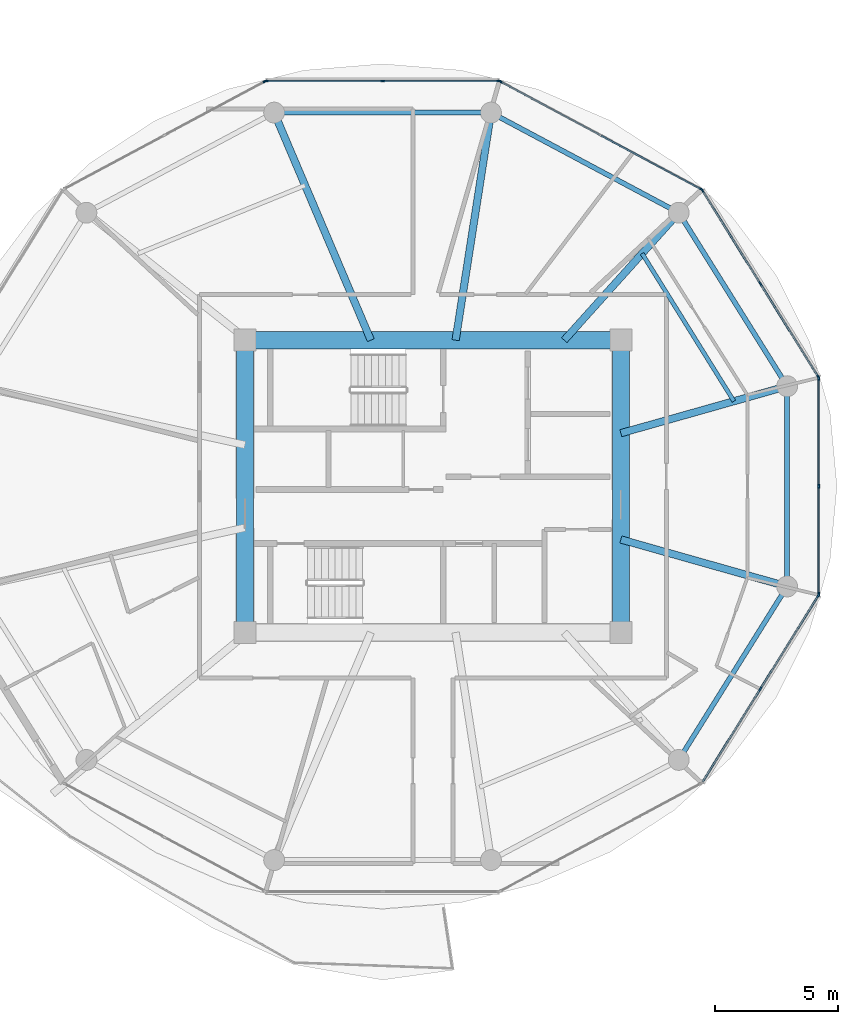
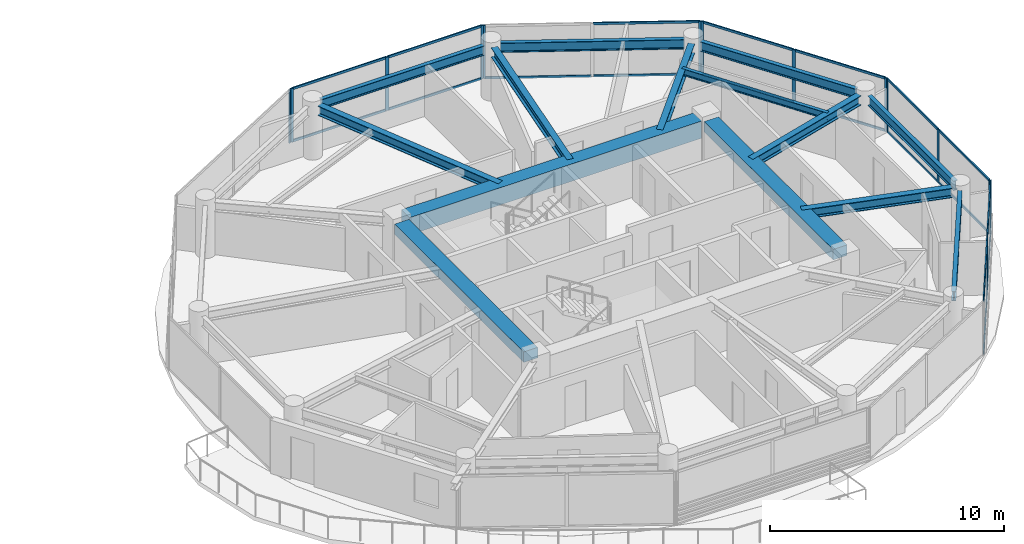
# One storey, part 11 of 23: 33 members, 14 beams, 6 elements without a shape of their own.
"""IFC4 building model written with IfcOpenShell, lengths in metres."""

from ifc_helpers import new_model, si_unit, direction, frame, origin, origin_2d, place, context, subcontext, project, spatial, rectangle, i_section, extrude, source, transform, mapped, material, layer, layer_set, material_profile, profile_set, type_object, type_shapes, element, aggregate, save


model = new_model("IFC4")

# Units and contexts
model_context = context("Model", 3, precision=1e-05, world=origin(), true_north=direction((0.0, 1.0)))
body_context = subcontext(model_context, "Body", "Model", "MODEL_VIEW")
ifc_project = project(units=[si_unit("LENGTHUNIT", "METRE"), si_unit("AREAUNIT", "SQUARE_METRE"), si_unit("VOLUMEUNIT", "CUBIC_METRE"), si_unit("PLANEANGLEUNIT", "RADIAN"), si_unit("MASSUNIT", "GRAM", prefix="KILO")], contexts=[model_context])

# Site, building, storey
site_placement = place(None, origin())
site = spatial("IfcSite", under=ifc_project, at=site_placement, CompositionType="ELEMENT")
building_placement = place(site_placement, origin())
building = spatial("IfcBuilding", under=site, at=building_placement, Name="Norrkilde Senior Care Towers", CompositionType="ELEMENT")
storey_placement = place(building_placement, frame((0.0, 0.0, 81.0)))
storey = spatial("IfcBuildingStorey", under=building, at=storey_placement, Name="L24", CompositionType="ELEMENT", Elevation=81.0)

# Beams
ifc_material_1 = material(Name="Concrete C60/75", Category="concrete")
ifc_material_profile_1 = material_profile(ifc_material_1, rectangle(XDim=0.699951171875, YDim=0.89990234375, at=origin_2d()), Name="RC BM 700x900")
ifc_profile_set_1 = profile_set([ifc_material_profile_1], Name="Concrete C60/75")
beam_type_1 = type_object("IfcBeamType", Name="Core Coupling Girder 700x900", PredefinedType="USERDEFINED", material=ifc_profile_set_1)
shared_shape_1 = source(origin(), body_context, "Body", "SweptSolid", [
    extrude(rectangle(XDim=0.699951171875, YDim=0.89990234375, at=origin_2d()), origin(), (0.0, 0.0, 1.0), 14.43994140625),
])
type_shapes(beam_type_1, [shared_shape_1])
beam_1_placement = place(storey_placement, frame((20.780029296875, 5.949951171875, 2.340087890625), z_axis=(1.0, 0.0, 0.0), x_axis=(0.0, 1.0, 0.0)))
element("IfcBeam", 1, at=beam_1_placement, inside=storey, type_object=beam_type_1, Name="L24 Core E N Coupling Girder", ObjectType="GIRDER", PredefinedType="USERDEFINED", context=body_context, shape_type="MappedRepresentation", body=[
    mapped(shared_shape_1, transform((0.0, 0.0, 0.0), x_axis=(1.0, 0.0, 0.0), y_axis=(0.0, 1.0, 0.0), z_axis=(0.0, 0.0, 1.0), scale=1.0)),
])
ifc_material_profile_2 = material_profile(ifc_material_1, rectangle(XDim=0.699951171875, YDim=0.550048828125, at=origin_2d()), Name="RC BM 700x550")
ifc_profile_set_2 = profile_set([ifc_material_profile_2], Name="Concrete C60/75")
beam_type_2 = type_object("IfcBeamType", Name="Core Portal Coupling Beam 700x550", PredefinedType="USERDEFINED", material=ifc_profile_set_2)
shared_shape_2 = source(origin(), body_context, "Body", "SweptSolid", [
    extrude(rectangle(XDim=0.699951171875, YDim=0.550048828125, at=origin_2d()), origin(), (0.0, 0.0, 1.0), 11.0400390625),
])
type_shapes(beam_type_2, [shared_shape_2])
for number, where, z_axis, x_axis, name in (
    (2, (20.35009765625, -5.52001953125, 2.514892578125), (0.0, 1.0, 0.0), (-1.0, 0.0, 0.0), "L24 Core E W Coupling Girder"),
    (3, (35.64990234375, -5.52001953125, 2.514892578125), (0.0, 1.0, 0.0), (-1.0, 0.0, 0.0), "L24 Core E E Coupling Girder"),
):
    element("IfcBeam", number, at=place(storey_placement, frame(where, z_axis=z_axis, x_axis=x_axis)), inside=storey, type_object=beam_type_2, Name=name, ObjectType="GIRDER", PredefinedType="USERDEFINED", context=body_context, shape_type="MappedRepresentation", body=[
        mapped(shared_shape_2, transform((0.0, 0.0, 0.0), x_axis=(1.0, 0.0, 0.0), y_axis=(0.0, 1.0, 0.0), z_axis=(0.0, 0.0, 1.0), scale=1.0)),
    ])
ifc_material_2 = material(Name="Steel S355", Category="steel")
ifc_material_profile_3 = material_profile(ifc_material_2, i_section(OverallWidth=0.199951171875, OverallDepth=0.5, WebThickness=0.01025390625, FlangeThickness=0.01611328125, FilletRadius=0.02099609375, at=origin_2d()), Name="IPE 500")
ifc_profile_set_3 = profile_set([ifc_material_profile_3], Name="Steel S355")
beam_type_3 = type_object("IfcBeamType", Name="Perimeter Ring Spandrel Z2 IPE500", PredefinedType="SPANDREL", material=ifc_profile_set_3)
shared_shape_3 = source(origin(), body_context, "Body", "SweptSolid", [
    extrude(i_section(OverallWidth=0.199951171875, OverallDepth=0.5, WebThickness=0.01025390625, FlangeThickness=0.01611328125, FilletRadius=0.02099609375, at=origin_2d()), origin(), (0.0, 0.0, 1.0), 7.892333984375),
])
beam_2_placement = place(storey_placement, frame((37.66650390625, 11.318115234375, 2.5400390625), z_axis=(-0.882350372282, 0.47059305194, 0.0), x_axis=(-0.47059305194, -0.882350372282, 0.0)))
element("IfcBeam", 4, at=beam_2_placement, inside=storey, type_object=beam_type_3, Name="L24 Drum E Perimeter Spandrel 02", PredefinedType="SPANDREL", context=body_context, shape_type="MappedRepresentation", body=[
    mapped(shared_shape_3, transform((0.0, 0.0, 0.0), x_axis=(1.0, 0.0, 0.0), y_axis=(0.0, 1.0, 0.0), z_axis=(0.0, 0.0, 1.0), scale=1.0)),
])
shared_shape_4 = source(origin(), body_context, "Body", "SweptSolid", [
    extrude(i_section(OverallWidth=0.199951171875, OverallDepth=0.5, WebThickness=0.01025390625, FlangeThickness=0.01611328125, FilletRadius=0.02099609375, at=origin_2d()), origin(), (0.0, 0.0, 1.0), 8.0556640625),
])
beam_3_placement = place(storey_placement, frame((29.977783203125, 15.21337890625, 2.5400390625), z_axis=(-1.0, 0.0, 0.0), x_axis=(0.0, -1.0, 0.0)))
element("IfcBeam", 5, at=beam_3_placement, inside=storey, type_object=beam_type_3, Name="L24 Drum E Perimeter Spandrel 03", PredefinedType="SPANDREL", context=body_context, shape_type="MappedRepresentation", body=[
    mapped(shared_shape_4, transform((0.0, 0.0, 0.0), x_axis=(1.0, 0.0, 0.0), y_axis=(0.0, 1.0, 0.0), z_axis=(0.0, 0.0, 1.0), scale=1.0)),
])
ifc_material_profile_4 = material_profile(ifc_material_2, i_section(OverallWidth=0.300048828125, OverallDepth=0.5, WebThickness=0.014404296875, FlangeThickness=0.028076171875, FilletRadius=0.027099609375, at=origin_2d()), Name="HEB 500")
ifc_profile_set_4 = profile_set([ifc_material_profile_4], Name="Steel S355")
beam_type_4 = type_object("IfcBeamType", Name="Radial Floor Beam Z2 HEB500", PredefinedType="BEAM", material=ifc_profile_set_4)
shared_shape_5 = source(origin(), body_context, "Body", "SweptSolid", [
    extrude(i_section(OverallWidth=0.300048828125, OverallDepth=0.5, WebThickness=0.014404296875, FlangeThickness=0.028076171875, FilletRadius=0.027099609375, at=origin_2d()), origin(), (0.0, 0.0, 1.0), 9.679443359375),
])
beam_4_placement = place(storey_placement, frame((25.472412109375, 5.949951171875, 2.5400390625), z_axis=(-0.390998033479, 0.920391513333, 0.0), x_axis=(-0.920391513333, -0.390998033479, 0.0)))
element("IfcBeam", 6, at=beam_4_placement, inside=storey, type_object=beam_type_4, Name="L24 Drum E Radial Floor Beam 04", PredefinedType="BEAM", context=body_context, shape_type="MappedRepresentation", body=[
    mapped(shared_shape_5, transform((0.0, 0.0, 0.0), x_axis=(1.0, 0.0, 0.0), y_axis=(0.0, 1.0, 0.0), z_axis=(0.0, 0.0, 1.0), scale=1.0)),
])
shared_shape_6 = source(origin(), body_context, "Body", "SweptSolid", [
    extrude(i_section(OverallWidth=0.300048828125, OverallDepth=0.5, WebThickness=0.014404296875, FlangeThickness=0.028076171875, FilletRadius=0.027099609375, at=origin_2d()), origin(), (0.0, 0.0, 1.0), 8.989501953125),
])
beam_5_placement = place(storey_placement, frame((28.924072265625, 5.949951171875, 2.5400390625), z_axis=(0.153471298636, 0.988153105796, 0.0), x_axis=(-0.988153105796, 0.153471298636, 0.0)))
element("IfcBeam", 7, at=beam_5_placement, inside=storey, type_object=beam_type_4, Name="L24 Drum E Radial Floor Beam 03", PredefinedType="BEAM", context=body_context, shape_type="MappedRepresentation", body=[
    mapped(shared_shape_6, transform((0.0, 0.0, 0.0), x_axis=(1.0, 0.0, 0.0), y_axis=(0.0, 1.0, 0.0), z_axis=(0.0, 0.0, 1.0), scale=1.0)),
])
shared_shape_7 = source(origin(), body_context, "Body", "SweptSolid", [
    extrude(i_section(OverallWidth=0.199951171875, OverallDepth=0.5, WebThickness=0.01025390625, FlangeThickness=0.01611328125, FilletRadius=0.02099609375, at=origin_2d()), origin(), (0.0, 0.0, 1.0), 7.556396484375),
])
for number, where, z_axis, x_axis, name in (
    (8, (42.215087890625, 4.40283203125, 2.5400390625), (-0.530004748437, 0.847994673706, 0.0), (-0.847994673706, -0.530004748437, 0.0), "L24 Drum E Perimeter Spandrel 01"),
    (9, (38.210205078125, -10.810546875, 2.5400390625), (0.530004748437, 0.847994673706, 0.0), (-0.847994673706, 0.530004748437, 0.0), "L24 Drum E Perimeter Spandrel 11"),
):
    element("IfcBeam", number, at=place(storey_placement, frame(where, z_axis=z_axis, x_axis=x_axis)), inside=storey, type_object=beam_type_3, Name=name, PredefinedType="SPANDREL", context=body_context, shape_type="MappedRepresentation", body=[
        mapped(shared_shape_7, transform((0.0, 0.0, 0.0), x_axis=(1.0, 0.0, 0.0), y_axis=(0.0, 1.0, 0.0), z_axis=(0.0, 0.0, 1.0), scale=1.0)),
    ])
shared_shape_8 = source(origin(), body_context, "Body", "SweptSolid", [
    extrude(i_section(OverallWidth=0.300048828125, OverallDepth=0.5, WebThickness=0.014404296875, FlangeThickness=0.028076171875, FilletRadius=0.027099609375, at=origin_2d()), origin(), (0.0, 0.0, 1.0), 6.587890625),
])
beam_6_placement = place(storey_placement, frame((33.345947265625, 5.949951171875, 2.5400390625), z_axis=(0.668315438605, 0.743877997068, 0.0), x_axis=(-0.743877997068, 0.668315438605, 0.0)))
element("IfcBeam", 10, at=beam_6_placement, inside=storey, type_object=beam_type_4, Name="L24 Drum E Radial Floor Beam 02", PredefinedType="BEAM", context=body_context, shape_type="MappedRepresentation", body=[
    mapped(shared_shape_8, transform((0.0, 0.0, 0.0), x_axis=(1.0, 0.0, 0.0), y_axis=(0.0, 1.0, 0.0), z_axis=(0.0, 0.0, 1.0), scale=1.0)),
])
shared_shape_9 = source(origin(), body_context, "Body", "SweptSolid", [
    extrude(i_section(OverallWidth=0.199951171875, OverallDepth=0.5, WebThickness=0.01025390625, FlangeThickness=0.01611328125, FilletRadius=0.02099609375, at=origin_2d()), origin(), (0.0, 0.0, 1.0), 7.3828125),
])
type_shapes(beam_type_3, [shared_shape_3, shared_shape_4, shared_shape_7, shared_shape_9])
beam_7_placement = place(storey_placement, frame((42.4189453125, -3.69140625, 2.5400390625), z_axis=(0.0, 1.0, 0.0), x_axis=(-1.0, 0.0, 0.0)))
element("IfcBeam", 11, at=beam_7_placement, inside=storey, type_object=beam_type_3, Name="L24 Drum E Perimeter Spandrel 12", PredefinedType="SPANDREL", context=body_context, shape_type="MappedRepresentation", body=[
    mapped(shared_shape_9, transform((0.0, 0.0, 0.0), x_axis=(1.0, 0.0, 0.0), y_axis=(0.0, 1.0, 0.0), z_axis=(0.0, 0.0, 1.0), scale=1.0)),
])
shared_shape_10 = source(origin(), body_context, "Body", "SweptSolid", [
    extrude(i_section(OverallWidth=0.300048828125, OverallDepth=0.5, WebThickness=0.014404296875, FlangeThickness=0.028076171875, FilletRadius=0.027099609375, at=origin_2d()), origin(), (0.0, 0.0, 1.0), 6.6494140625),
])
type_shapes(beam_type_4, [shared_shape_5, shared_shape_6, shared_shape_8, shared_shape_10])
for number, where, z_axis, x_axis, name in (
    (12, (35.64990234375, 2.162841796875, 2.5400390625), (0.962289138357, 0.27202870106, 0.0), (-0.27202870106, 0.962289138357, 0.0), "L24 Drum E Radial Floor Beam 01"),
    (13, (35.64990234375, -2.162841796875, 2.5400390625), (0.962289138357, -0.27202870106, 0.0), (0.27202870106, 0.962289138357, 0.0), "L24 Drum E Radial Floor Beam 12"),
):
    element("IfcBeam", number, at=place(storey_placement, frame(where, z_axis=z_axis, x_axis=x_axis)), inside=storey, type_object=beam_type_4, Name=name, PredefinedType="BEAM", context=body_context, shape_type="MappedRepresentation", body=[
        mapped(shared_shape_10, transform((0.0, 0.0, 0.0), x_axis=(1.0, 0.0, 0.0), y_axis=(0.0, 1.0, 0.0), z_axis=(0.0, 0.0, 1.0), scale=1.0)),
    ])
ifc_material_profile_5 = material_profile(ifc_material_2, i_section(OverallWidth=0.169921875, OverallDepth=0.360107421875, WebThickness=0.008056640625, FlangeThickness=0.0126953125, FilletRadius=0.01806640625, at=origin_2d()), Name="IPE 360")
ifc_profile_set_5 = profile_set([ifc_material_profile_5], Name="Steel S355")
beam_type_5 = type_object("IfcBeamType", Name="Secondary Floor Joist IPE360", PredefinedType="JOIST", material=ifc_profile_set_5)
shared_shape_11 = source(origin(), body_context, "Body", "SweptSolid", [
    extrude(i_section(OverallWidth=0.169921875, OverallDepth=0.360107421875, WebThickness=0.008056640625, FlangeThickness=0.0126953125, FilletRadius=0.01806640625, at=origin_2d()), origin(), (0.0, 0.0, 1.0), 7.080078125),
])
type_shapes(beam_type_5, [shared_shape_11])
beam_8_placement = place(storey_placement, frame((40.2529296875, 3.464111328125, 2.610107421875), z_axis=(-0.527961009189, 0.849268610497, 0.0), x_axis=(-0.849268610497, -0.527961009189, 0.0)))
element("IfcBeam", 14, at=beam_8_placement, inside=storey, type_object=beam_type_5, Name="L24 Drum E Secondary Floor Joist 1", PredefinedType="JOIST", context=body_context, shape_type="MappedRepresentation", body=[
    mapped(shared_shape_11, transform((0.0, 0.0, 0.0), x_axis=(1.0, 0.0, 0.0), y_axis=(0.0, 1.0, 0.0), z_axis=(0.0, 0.0, 1.0), scale=1.0)),
])

# Curtain wall, members
ifc_material_3 = material(Name="Triple Low-E Insulated Glazing", Category="glass")
ifc_layer = layer(ifc_material_3, 0.195068359375)
ifc_layer_set = layer_set([ifc_layer], Name="Triple Low-E Insulated Glazing")
curtain_wall_type = type_object("IfcCurtainWallType", Name="CW3 Zone 2 Assisted Living Curtain Wall", PredefinedType="NOTDEFINED", material=ifc_layer_set)
curtain_wall_1_placement = place(storey_placement, origin())
curtain_wall_1 = element("IfcCurtainWall", 15, at=curtain_wall_1_placement, inside=storey, type_object=curtain_wall_type, Name="L24 Drum E Curtain Wall 00", PredefinedType="NOTDEFINED")
ifc_material_4 = material(Name="Anodised Aluminium", Category="aluminium")
ifc_material_profile_6 = material_profile(ifc_material_4, rectangle(XDim=0.06494140625, YDim=0.159912109375, at=origin_2d()), Name="ALU MULL 65x160")
ifc_profile_set_6 = profile_set([ifc_material_profile_6], Name="Anodised Aluminium")
member_type_1 = type_object("IfcMemberType", Name="Curtain Wall Mullion Z1-Z2 65x160", PredefinedType="MULLION", material=ifc_profile_set_6)
shared_shape_12 = source(origin(), body_context, "Body", "SweptSolid", [
    extrude(rectangle(XDim=0.06494140625, YDim=0.159912109375, at=origin_2d()), origin(), (0.0, 0.0, 1.0), 2.7900390625),
])
type_shapes(member_type_1, [shared_shape_12])
member_1_placement = place(storey_placement, frame((38.9638671875, 12.0498046875, 0.0), z_axis=(0.0, 0.0, 1.0), x_axis=(0.849410171862, 0.527733228002, 0.0)))
member_1 = element("IfcMember", 16, at=member_1_placement, type_object=member_type_1, Name="CW-3 mullion 1", PredefinedType="MULLION", context=body_context, shape_type="MappedRepresentation", body=[
    mapped(shared_shape_12, transform((0.0, 0.0, 0.0), x_axis=(1.0, 0.0, 0.0), y_axis=(0.0, 1.0, 0.0), z_axis=(0.0, 0.0, 1.0), scale=1.0)),
])
member_2_placement = place(storey_placement, frame((41.3251953125, 8.2490234375, 0.0), z_axis=(0.0, 0.0, 1.0), x_axis=(0.849410171862, 0.527733228002, 0.0)))
member_2 = element("IfcMember", 17, at=member_2_placement, type_object=member_type_1, Name="CW-3 mullion 2", PredefinedType="MULLION", context=body_context, shape_type="MappedRepresentation", body=[
    mapped(shared_shape_12, transform((0.0, 0.0, 0.0), x_axis=(1.0, 0.0, 0.0), y_axis=(0.0, 1.0, 0.0), z_axis=(0.0, 0.0, 1.0), scale=1.0)),
])
member_3_placement = place(storey_placement, frame((43.6865234375, 4.4482421875, 0.0), z_axis=(0.0, 0.0, 1.0), x_axis=(0.849410171862, 0.527733228002, 0.0)))
member_3 = element("IfcMember", 18, at=member_3_placement, type_object=member_type_1, Name="CW-3 mullion 3", PredefinedType="MULLION", context=body_context, shape_type="MappedRepresentation", body=[
    mapped(shared_shape_12, transform((0.0, 0.0, 0.0), x_axis=(1.0, 0.0, 0.0), y_axis=(0.0, 1.0, 0.0), z_axis=(0.0, 0.0, 1.0), scale=1.0)),
])

curtain_wall_2_placement = place(storey_placement, origin())
curtain_wall_2 = element("IfcCurtainWall", 19, at=curtain_wall_2_placement, inside=storey, type_object=curtain_wall_type, Name="L24 Drum E Curtain Wall 01", PredefinedType="NOTDEFINED")
member_4_placement = place(storey_placement, frame((30.73583984375, 16.482666015625, 0.0), z_axis=(0.0, 0.0, 1.0), x_axis=(0.472769402511, 0.881186184668, 0.0)))
member_4 = element("IfcMember", 20, at=member_4_placement, type_object=member_type_1, Name="CW-3 mullion 1", PredefinedType="MULLION", context=body_context, shape_type="MappedRepresentation", body=[
    mapped(shared_shape_12, transform((0.0, 0.0, 0.0), x_axis=(1.0, 0.0, 0.0), y_axis=(0.0, 1.0, 0.0), z_axis=(0.0, 0.0, 1.0), scale=1.0)),
])
member_5_placement = place(storey_placement, frame((38.91796875, 12.0927734375, 0.0), z_axis=(0.0, 0.0, 1.0), x_axis=(0.472769402511, 0.881186184668, 0.0)))
member_5 = element("IfcMember", 21, at=member_5_placement, type_object=member_type_1, Name="CW-3 mullion 3", PredefinedType="MULLION", context=body_context, shape_type="MappedRepresentation", body=[
    mapped(shared_shape_12, transform((0.0, 0.0, 0.0), x_axis=(1.0, 0.0, 0.0), y_axis=(0.0, 1.0, 0.0), z_axis=(0.0, 0.0, 1.0), scale=1.0)),
])

curtain_wall_3_placement = place(storey_placement, origin())
curtain_wall_3 = element("IfcCurtainWall", 22, at=curtain_wall_3_placement, inside=storey, type_object=curtain_wall_type, Name="L24 Drum E Curtain Wall 02", PredefinedType="NOTDEFINED")
member_6_placement = place(storey_placement, frame((21.225341796875, 16.498046875, 0.0), z_axis=(0.0, 0.0, 1.0), x_axis=(0.0, 1.0, 0.0)))
member_6 = element("IfcMember", 23, at=member_6_placement, type_object=member_type_1, Name="CW-3 mullion 1", PredefinedType="MULLION", context=body_context, shape_type="MappedRepresentation", body=[
    mapped(shared_shape_12, transform((0.0, 0.0, 0.0), x_axis=(1.0, 0.0, 0.0), y_axis=(0.0, 1.0, 0.0), z_axis=(0.0, 0.0, 1.0), scale=1.0)),
])
member_7_placement = place(storey_placement, frame((25.949951171875, 16.498046875, 0.0), z_axis=(0.0, 0.0, 1.0), x_axis=(0.0, 1.0, 0.0)))
member_7 = element("IfcMember", 24, at=member_7_placement, type_object=member_type_1, Name="CW-3 mullion 2", PredefinedType="MULLION", context=body_context, shape_type="MappedRepresentation", body=[
    mapped(shared_shape_12, transform((0.0, 0.0, 0.0), x_axis=(1.0, 0.0, 0.0), y_axis=(0.0, 1.0, 0.0), z_axis=(0.0, 0.0, 1.0), scale=1.0)),
])
member_8_placement = place(storey_placement, frame((30.674560546875, 16.498046875, 0.0), z_axis=(0.0, 0.0, 1.0), x_axis=(0.0, 1.0, 0.0)))
member_8 = element("IfcMember", 25, at=member_8_placement, type_object=member_type_1, Name="CW-3 mullion 3", PredefinedType="MULLION", context=body_context, shape_type="MappedRepresentation", body=[
    mapped(shared_shape_12, transform((0.0, 0.0, 0.0), x_axis=(1.0, 0.0, 0.0), y_axis=(0.0, 1.0, 0.0), z_axis=(0.0, 0.0, 1.0), scale=1.0)),
])

# Curtain wall, member
curtain_wall_4_placement = place(storey_placement, origin())
curtain_wall_4 = element("IfcCurtainWall", 26, at=curtain_wall_4_placement, inside=storey, type_object=curtain_wall_type, Name="L24 Drum E Curtain Wall 03", PredefinedType="NOTDEFINED")
member_9_placement = place(storey_placement, frame((21.164306640625, 16.482666015625, 0.0), z_axis=(0.0, 0.0, 1.0), x_axis=(-0.472769402511, 0.881186184668, 0.0)))
member_9 = element("IfcMember", 27, at=member_9_placement, type_object=member_type_1, Name="CW-3 mullion 3", PredefinedType="MULLION", context=body_context, shape_type="MappedRepresentation", body=[
    mapped(shared_shape_12, transform((0.0, 0.0, 0.0), x_axis=(1.0, 0.0, 0.0), y_axis=(0.0, 1.0, 0.0), z_axis=(0.0, 0.0, 1.0), scale=1.0)),
])
aggregate(curtain_wall_4, [member_9])

# Curtain wall, members
curtain_wall_5_placement = place(storey_placement, origin())
curtain_wall_5 = element("IfcCurtainWall", 28, at=curtain_wall_5_placement, inside=storey, type_object=curtain_wall_type, Name="L24 Drum E Curtain Wall 10", PredefinedType="NOTDEFINED")
member_10_placement = place(storey_placement, frame((43.6865234375, -4.4482421875, 0.0), z_axis=(0.0, 0.0, 1.0), x_axis=(0.849410171862, -0.527733228002, 0.0)))
member_10 = element("IfcMember", 29, at=member_10_placement, type_object=member_type_1, Name="CW-3 mullion 1", PredefinedType="MULLION", context=body_context, shape_type="MappedRepresentation", body=[
    mapped(shared_shape_12, transform((0.0, 0.0, 0.0), x_axis=(1.0, 0.0, 0.0), y_axis=(0.0, 1.0, 0.0), z_axis=(0.0, 0.0, 1.0), scale=1.0)),
])
member_11_placement = place(storey_placement, frame((41.3251953125, -8.2490234375, 0.0), z_axis=(0.0, 0.0, 1.0), x_axis=(0.849410171862, -0.527733228002, 0.0)))
member_11 = element("IfcMember", 30, at=member_11_placement, type_object=member_type_1, Name="CW-3 mullion 2", PredefinedType="MULLION", context=body_context, shape_type="MappedRepresentation", body=[
    mapped(shared_shape_12, transform((0.0, 0.0, 0.0), x_axis=(1.0, 0.0, 0.0), y_axis=(0.0, 1.0, 0.0), z_axis=(0.0, 0.0, 1.0), scale=1.0)),
])

curtain_wall_6_placement = place(storey_placement, origin())
curtain_wall_6 = element("IfcCurtainWall", 31, at=curtain_wall_6_placement, inside=storey, type_object=curtain_wall_type, Name="L24 Drum E Curtain Wall 11", PredefinedType="NOTDEFINED")
member_12_placement = place(storey_placement, frame((43.70361328125, 4.38818359375, 0.0), z_axis=(0.0, 0.0, 1.0), x_axis=(1.0, 0.0, 0.0)))
member_12 = element("IfcMember", 32, at=member_12_placement, type_object=member_type_1, Name="CW-3 mullion 1", PredefinedType="MULLION", context=body_context, shape_type="MappedRepresentation", body=[
    mapped(shared_shape_12, transform((0.0, 0.0, 0.0), x_axis=(1.0, 0.0, 0.0), y_axis=(0.0, 1.0, 0.0), z_axis=(0.0, 0.0, 1.0), scale=1.0)),
])
member_13_placement = place(storey_placement, frame((43.70361328125, 0.0, 0.0), z_axis=(0.0, 0.0, 1.0), x_axis=(1.0, 0.0, 0.0)))
member_13 = element("IfcMember", 33, at=member_13_placement, type_object=member_type_1, Name="CW-3 mullion 2", PredefinedType="MULLION", context=body_context, shape_type="MappedRepresentation", body=[
    mapped(shared_shape_12, transform((0.0, 0.0, 0.0), x_axis=(1.0, 0.0, 0.0), y_axis=(0.0, 1.0, 0.0), z_axis=(0.0, 0.0, 1.0), scale=1.0)),
])
member_14_placement = place(storey_placement, frame((43.70361328125, -4.38818359375, 0.0), z_axis=(0.0, 0.0, 1.0), x_axis=(1.0, 0.0, 0.0)))
member_14 = element("IfcMember", 34, at=member_14_placement, type_object=member_type_1, Name="CW-3 mullion 3", PredefinedType="MULLION", context=body_context, shape_type="MappedRepresentation", body=[
    mapped(shared_shape_12, transform((0.0, 0.0, 0.0), x_axis=(1.0, 0.0, 0.0), y_axis=(0.0, 1.0, 0.0), z_axis=(0.0, 0.0, 1.0), scale=1.0)),
])

# Member
ifc_material_profile_7 = material_profile(ifc_material_4, rectangle(XDim=0.06005859375, YDim=0.1201171875, at=origin_2d()), Name="ALU TRAN 60x120")
ifc_profile_set_7 = profile_set([ifc_material_profile_7], Name="Anodised Aluminium")
member_type_2 = type_object("IfcMemberType", Name="Curtain Wall Transom Typical 60x120", PredefinedType="USERDEFINED", material=ifc_profile_set_7)
shared_shape_13 = source(origin(), body_context, "Body", "SweptSolid", [
    extrude(rectangle(XDim=0.06005859375, YDim=0.1201171875, at=origin_2d()), origin(), (0.0, 0.0, 1.0), 4.40966796875),
])
member_15_placement = place(storey_placement, frame((38.98095703125, 12.022216796875, 0.030029296875), z_axis=(0.527737675578, -0.849407408594, 0.0), x_axis=(0.849407408594, 0.527737675578, 0.0)))
member_15 = element("IfcMember", 35, at=member_15_placement, type_object=member_type_2, Name="CW-3 transom 1.1", ObjectType="TRANSOM", PredefinedType="USERDEFINED", context=body_context, shape_type="MappedRepresentation", body=[
    mapped(shared_shape_13, transform((0.0, 0.0, 0.0), x_axis=(1.0, 0.0, 0.0), y_axis=(0.0, 1.0, 0.0), z_axis=(0.0, 0.0, 1.0), scale=1.0)),
])

member_16_placement = place(storey_placement, frame((38.98095703125, 12.022216796875, 2.760009765625), z_axis=(0.527737675578, -0.849407408594, 0.0), x_axis=(0.849407408594, 0.527737675578, 0.0)))
member_16 = element("IfcMember", 36, at=member_16_placement, type_object=member_type_2, Name="CW-3 transom 1.2", ObjectType="TRANSOM", PredefinedType="USERDEFINED", context=body_context, shape_type="MappedRepresentation", body=[
    mapped(shared_shape_13, transform((0.0, 0.0, 0.0), x_axis=(1.0, 0.0, 0.0), y_axis=(0.0, 1.0, 0.0), z_axis=(0.0, 0.0, 1.0), scale=1.0)),
])

member_17_placement = place(storey_placement, frame((41.34228515625, 8.221435546875, 0.030029296875), z_axis=(0.527737675578, -0.849407408594, 0.0), x_axis=(0.849407408594, 0.527737675578, 0.0)))
member_17 = element("IfcMember", 37, at=member_17_placement, type_object=member_type_2, Name="CW-3 transom 2.1", ObjectType="TRANSOM", PredefinedType="USERDEFINED", context=body_context, shape_type="MappedRepresentation", body=[
    mapped(shared_shape_13, transform((0.0, 0.0, 0.0), x_axis=(1.0, 0.0, 0.0), y_axis=(0.0, 1.0, 0.0), z_axis=(0.0, 0.0, 1.0), scale=1.0)),
])

member_18_placement = place(storey_placement, frame((41.34228515625, 8.221435546875, 2.760009765625), z_axis=(0.527737675578, -0.849407408594, 0.0), x_axis=(0.849407408594, 0.527737675578, 0.0)))
member_18 = element("IfcMember", 38, at=member_18_placement, type_object=member_type_2, Name="CW-3 transom 2.2", ObjectType="TRANSOM", PredefinedType="USERDEFINED", context=body_context, shape_type="MappedRepresentation", body=[
    mapped(shared_shape_13, transform((0.0, 0.0, 0.0), x_axis=(1.0, 0.0, 0.0), y_axis=(0.0, 1.0, 0.0), z_axis=(0.0, 0.0, 1.0), scale=1.0)),
])

aggregate(curtain_wall_1, [member_1, member_2, member_3, member_15, member_16, member_17, member_18])

member_19_placement = place(storey_placement, frame((43.66943359375, -4.475830078125, 0.030029296875), z_axis=(-0.527737675578, -0.849407408594, 0.0), x_axis=(0.849407408594, -0.527737675578, 0.0)))
member_19 = element("IfcMember", 39, at=member_19_placement, type_object=member_type_2, Name="CW-3 transom 1.1", ObjectType="TRANSOM", PredefinedType="USERDEFINED", context=body_context, shape_type="MappedRepresentation", body=[
    mapped(shared_shape_13, transform((0.0, 0.0, 0.0), x_axis=(1.0, 0.0, 0.0), y_axis=(0.0, 1.0, 0.0), z_axis=(0.0, 0.0, 1.0), scale=1.0)),
])

member_20_placement = place(storey_placement, frame((43.66943359375, -4.475830078125, 2.760009765625), z_axis=(-0.527737675578, -0.849407408594, 0.0), x_axis=(0.849407408594, -0.527737675578, 0.0)))
member_20 = element("IfcMember", 40, at=member_20_placement, type_object=member_type_2, Name="CW-3 transom 1.2", ObjectType="TRANSOM", PredefinedType="USERDEFINED", context=body_context, shape_type="MappedRepresentation", body=[
    mapped(shared_shape_13, transform((0.0, 0.0, 0.0), x_axis=(1.0, 0.0, 0.0), y_axis=(0.0, 1.0, 0.0), z_axis=(0.0, 0.0, 1.0), scale=1.0)),
])

member_21_placement = place(storey_placement, frame((41.30810546875, -8.276611328125, 0.030029296875), z_axis=(-0.527737675578, -0.849407408594, 0.0), x_axis=(0.849407408594, -0.527737675578, 0.0)))
member_21 = element("IfcMember", 41, at=member_21_placement, type_object=member_type_2, Name="CW-3 transom 2.1", ObjectType="TRANSOM", PredefinedType="USERDEFINED", context=body_context, shape_type="MappedRepresentation", body=[
    mapped(shared_shape_13, transform((0.0, 0.0, 0.0), x_axis=(1.0, 0.0, 0.0), y_axis=(0.0, 1.0, 0.0), z_axis=(0.0, 0.0, 1.0), scale=1.0)),
])

member_22_placement = place(storey_placement, frame((41.30810546875, -8.276611328125, 2.760009765625), z_axis=(-0.527737675578, -0.849407408594, 0.0), x_axis=(0.849407408594, -0.527737675578, 0.0)))
member_22 = element("IfcMember", 42, at=member_22_placement, type_object=member_type_2, Name="CW-3 transom 2.2", ObjectType="TRANSOM", PredefinedType="USERDEFINED", context=body_context, shape_type="MappedRepresentation", body=[
    mapped(shared_shape_13, transform((0.0, 0.0, 0.0), x_axis=(1.0, 0.0, 0.0), y_axis=(0.0, 1.0, 0.0), z_axis=(0.0, 0.0, 1.0), scale=1.0)),
])

aggregate(curtain_wall_5, [member_10, member_11, member_19, member_20, member_21, member_22])

shared_shape_14 = source(origin(), body_context, "Body", "SweptSolid", [
    extrude(rectangle(XDim=0.06005859375, YDim=0.1201171875, at=origin_2d()), origin(), (0.0, 0.0, 1.0), 4.65966796875),
])
member_23_placement = place(storey_placement, frame((21.2578125, 16.498046875, 0.030029296875), z_axis=(1.0, 0.0, 0.0), x_axis=(0.0, 1.0, 0.0)))
member_23 = element("IfcMember", 43, at=member_23_placement, type_object=member_type_2, Name="CW-3 transom 1.1", ObjectType="TRANSOM", PredefinedType="USERDEFINED", context=body_context, shape_type="MappedRepresentation", body=[
    mapped(shared_shape_14, transform((0.0, 0.0, 0.0), x_axis=(1.0, 0.0, 0.0), y_axis=(0.0, 1.0, 0.0), z_axis=(0.0, 0.0, 1.0), scale=1.0)),
])

member_24_placement = place(storey_placement, frame((21.2578125, 16.498046875, 2.760009765625), z_axis=(1.0, 0.0, 0.0), x_axis=(0.0, 1.0, 0.0)))
member_24 = element("IfcMember", 44, at=member_24_placement, type_object=member_type_2, Name="CW-3 transom 1.2", ObjectType="TRANSOM", PredefinedType="USERDEFINED", context=body_context, shape_type="MappedRepresentation", body=[
    mapped(shared_shape_14, transform((0.0, 0.0, 0.0), x_axis=(1.0, 0.0, 0.0), y_axis=(0.0, 1.0, 0.0), z_axis=(0.0, 0.0, 1.0), scale=1.0)),
])

member_25_placement = place(storey_placement, frame((25.982421875, 16.498046875, 0.030029296875), z_axis=(1.0, 0.0, 0.0), x_axis=(0.0, 1.0, 0.0)))
member_25 = element("IfcMember", 45, at=member_25_placement, type_object=member_type_2, Name="CW-3 transom 2.1", ObjectType="TRANSOM", PredefinedType="USERDEFINED", context=body_context, shape_type="MappedRepresentation", body=[
    mapped(shared_shape_14, transform((0.0, 0.0, 0.0), x_axis=(1.0, 0.0, 0.0), y_axis=(0.0, 1.0, 0.0), z_axis=(0.0, 0.0, 1.0), scale=1.0)),
])

member_26_placement = place(storey_placement, frame((25.982421875, 16.498046875, 2.760009765625), z_axis=(1.0, 0.0, 0.0), x_axis=(0.0, 1.0, 0.0)))
member_26 = element("IfcMember", 46, at=member_26_placement, type_object=member_type_2, Name="CW-3 transom 2.2", ObjectType="TRANSOM", PredefinedType="USERDEFINED", context=body_context, shape_type="MappedRepresentation", body=[
    mapped(shared_shape_14, transform((0.0, 0.0, 0.0), x_axis=(1.0, 0.0, 0.0), y_axis=(0.0, 1.0, 0.0), z_axis=(0.0, 0.0, 1.0), scale=1.0)),
])

aggregate(curtain_wall_3, [member_6, member_7, member_8, member_23, member_24, member_25, member_26])

shared_shape_15 = source(origin(), body_context, "Body", "SweptSolid", [
    extrude(rectangle(XDim=0.06005859375, YDim=0.1201171875, at=origin_2d()), origin(), (0.0, 0.0, 1.0), 4.57763671875),
])
member_27_placement = place(storey_placement, frame((34.85546875, 14.272216796875, 0.030029296875), z_axis=(0.881204703403, -0.472734884159, 0.0), x_axis=(0.472734884159, 0.881204703403, 0.0)))
member_27 = element("IfcMember", 47, at=member_27_placement, type_object=member_type_2, Name="CW-3 transom 2.1", ObjectType="TRANSOM", PredefinedType="USERDEFINED", context=body_context, shape_type="MappedRepresentation", body=[
    mapped(shared_shape_15, transform((0.0, 0.0, 0.0), x_axis=(1.0, 0.0, 0.0), y_axis=(0.0, 1.0, 0.0), z_axis=(0.0, 0.0, 1.0), scale=1.0)),
])

member_28_placement = place(storey_placement, frame((34.85546875, 14.272216796875, 2.760009765625), z_axis=(0.881204703403, -0.472734884159, 0.0), x_axis=(0.472734884159, 0.881204703403, 0.0)))
member_28 = element("IfcMember", 48, at=member_28_placement, type_object=member_type_2, Name="CW-3 transom 2.2", ObjectType="TRANSOM", PredefinedType="USERDEFINED", context=body_context, shape_type="MappedRepresentation", body=[
    mapped(shared_shape_15, transform((0.0, 0.0, 0.0), x_axis=(1.0, 0.0, 0.0), y_axis=(0.0, 1.0, 0.0), z_axis=(0.0, 0.0, 1.0), scale=1.0)),
])

shared_shape_16 = source(origin(), body_context, "Body", "SweptSolid", [
    extrude(rectangle(XDim=0.06005859375, YDim=0.1201171875, at=origin_2d()), origin(), (0.0, 0.0, 1.0), 4.577880859375),
])
member_29_placement = place(storey_placement, frame((30.764404296875, 16.46728515625, 0.030029296875), z_axis=(0.881182486146, -0.472776296053, 0.0), x_axis=(0.472776296053, 0.881182486146, 0.0)))
member_29 = element("IfcMember", 49, at=member_29_placement, type_object=member_type_2, Name="CW-3 transom 1.1", ObjectType="TRANSOM", PredefinedType="USERDEFINED", context=body_context, shape_type="MappedRepresentation", body=[
    mapped(shared_shape_16, transform((0.0, 0.0, 0.0), x_axis=(1.0, 0.0, 0.0), y_axis=(0.0, 1.0, 0.0), z_axis=(0.0, 0.0, 1.0), scale=1.0)),
])

aggregate(curtain_wall_2, [member_4, member_5, member_29, member_27, member_28])

shared_shape_17 = source(origin(), body_context, "Body", "SweptSolid", [
    extrude(rectangle(XDim=0.06005859375, YDim=0.1201171875, at=origin_2d()), origin(), (0.0, 0.0, 1.0), 4.3232421875),
])
type_shapes(member_type_2, [shared_shape_13, shared_shape_14, shared_shape_15, shared_shape_16, shared_shape_17])
member_30_placement = place(storey_placement, frame((43.70361328125, 4.355712890625, 0.030029296875), z_axis=(0.0, -1.0, 0.0), x_axis=(1.0, 0.0, 0.0)))
member_30 = element("IfcMember", 50, at=member_30_placement, type_object=member_type_2, Name="CW-3 transom 1.1", ObjectType="TRANSOM", PredefinedType="USERDEFINED", context=body_context, shape_type="MappedRepresentation", body=[
    mapped(shared_shape_17, transform((0.0, 0.0, 0.0), x_axis=(1.0, 0.0, 0.0), y_axis=(0.0, 1.0, 0.0), z_axis=(0.0, 0.0, 1.0), scale=1.0)),
])

member_31_placement = place(storey_placement, frame((43.70361328125, 4.355712890625, 2.760009765625), z_axis=(0.0, -1.0, 0.0), x_axis=(1.0, 0.0, 0.0)))
member_31 = element("IfcMember", 51, at=member_31_placement, type_object=member_type_2, Name="CW-3 transom 1.2", ObjectType="TRANSOM", PredefinedType="USERDEFINED", context=body_context, shape_type="MappedRepresentation", body=[
    mapped(shared_shape_17, transform((0.0, 0.0, 0.0), x_axis=(1.0, 0.0, 0.0), y_axis=(0.0, 1.0, 0.0), z_axis=(0.0, 0.0, 1.0), scale=1.0)),
])

member_32_placement = place(storey_placement, frame((43.70361328125, -0.032470703125, 0.030029296875), z_axis=(0.0, -1.0, 0.0), x_axis=(1.0, 0.0, 0.0)))
member_32 = element("IfcMember", 52, at=member_32_placement, type_object=member_type_2, Name="CW-3 transom 2.1", ObjectType="TRANSOM", PredefinedType="USERDEFINED", context=body_context, shape_type="MappedRepresentation", body=[
    mapped(shared_shape_17, transform((0.0, 0.0, 0.0), x_axis=(1.0, 0.0, 0.0), y_axis=(0.0, 1.0, 0.0), z_axis=(0.0, 0.0, 1.0), scale=1.0)),
])

member_33_placement = place(storey_placement, frame((43.70361328125, -0.032470703125, 2.760009765625), z_axis=(0.0, -1.0, 0.0), x_axis=(1.0, 0.0, 0.0)))
member_33 = element("IfcMember", 53, at=member_33_placement, type_object=member_type_2, Name="CW-3 transom 2.2", ObjectType="TRANSOM", PredefinedType="USERDEFINED", context=body_context, shape_type="MappedRepresentation", body=[
    mapped(shared_shape_17, transform((0.0, 0.0, 0.0), x_axis=(1.0, 0.0, 0.0), y_axis=(0.0, 1.0, 0.0), z_axis=(0.0, 0.0, 1.0), scale=1.0)),
])

aggregate(curtain_wall_6, [member_12, member_13, member_14, member_30, member_31, member_32, member_33])

save(model, "model.ifc")
